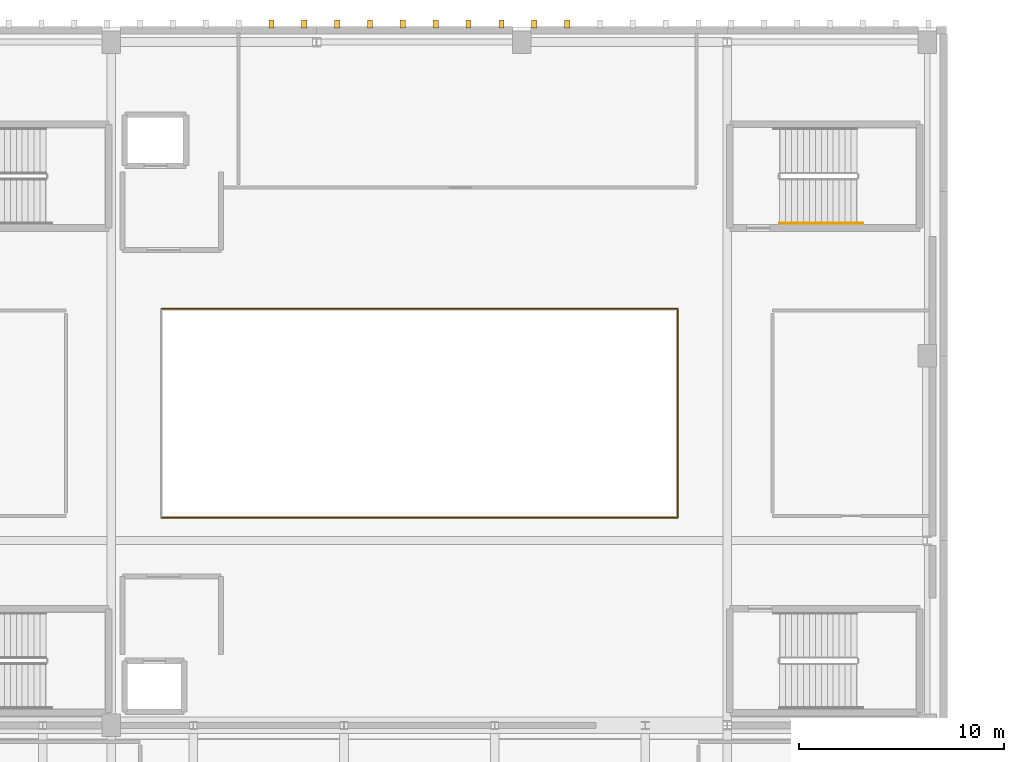
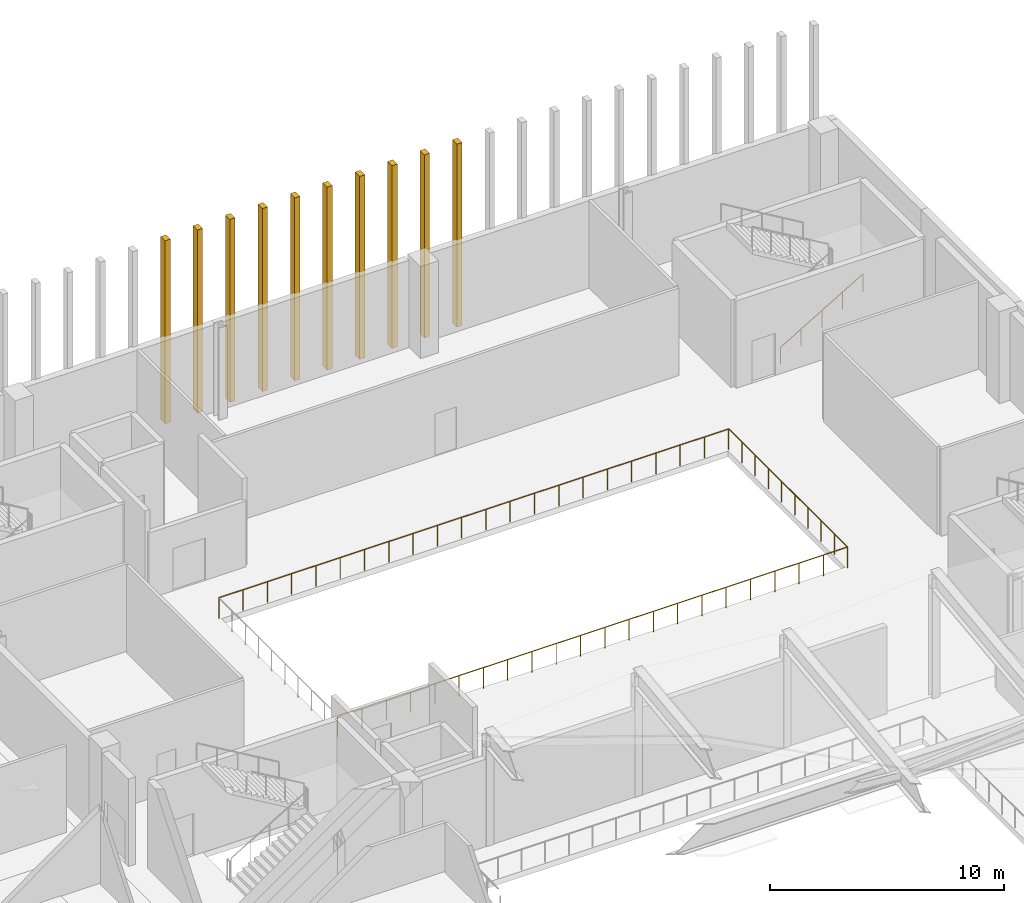
# One storey, part 29 of 30: 10 coverings, 4 railings.
"""IFC4 building model written with IfcOpenShell, lengths in metres."""

from ifc_helpers import new_model, si_unit, direction, frame, origin, origin_2d, place, context, subcontext, project, spatial, rectangle, circle, extrude, material, layer, layer_set, type_object, element, save


model = new_model("IFC4")

# Units and contexts
model_context = context("Model", 3, precision=1e-05, world=origin(), true_north=direction((0.0, 1.0)))
body_context = subcontext(model_context, "Body", "Model", "MODEL_VIEW")
ifc_project = project(units=[si_unit("LENGTHUNIT", "METRE"), si_unit("AREAUNIT", "SQUARE_METRE"), si_unit("VOLUMEUNIT", "CUBIC_METRE"), si_unit("PLANEANGLEUNIT", "RADIAN"), si_unit("MASSUNIT", "GRAM", prefix="KILO")], contexts=[model_context])

# Site, building, storey
site_placement = place(None, origin())
site = spatial("IfcSite", under=ifc_project, at=site_placement, CompositionType="ELEMENT")
building_placement = place(site_placement, origin())
building = spatial("IfcBuilding", under=site, at=building_placement, Name="Trimount Lyric Opera House", CompositionType="ELEMENT")
storey_placement = place(building_placement, frame((0.0, 0.0, 24.800048828125)))
storey = spatial("IfcBuildingStorey", under=building, at=storey_placement, Name="L05", CompositionType="ELEMENT", Elevation=24.800048828125)

# Coverings
ifc_material_1 = material(Name="Extruded Brushed Aluminium Vertical Shed Rib", Category="aluminium")
ifc_layer = layer(ifc_material_1, 0.260009765625)
ifc_layer_set = layer_set([ifc_layer], Name="CLD-RIB1")
covering_type = type_object("IfcCoveringType", Name="CLD-RIB1", PredefinedType="CLADDING", material=ifc_layer_set)
for number, where, z_axis, x_axis, name in (
    (1, (81.800048828125, 118.1650390625, 0.0), (0.0, 0.0, 1.0), (1.0, 0.0, 0.0), "Fly-tower north vertical cladding rib 180"),
    (2, (83.39990234375, 118.1650390625, 0.0), (0.0, 0.0, 1.0), (1.0, 0.0, 0.0), "Fly-tower north vertical cladding rib 185"),
    (3, (85.0, 118.1650390625, 0.0), (0.0, 0.0, 1.0), (1.0, 0.0, 0.0), "Fly-tower north vertical cladding rib 190"),
    (4, (86.60009765625, 118.1650390625, 0.0), (0.0, 0.0, 1.0), (1.0, 0.0, 0.0), "Fly-tower north vertical cladding rib 195"),
    (5, (88.199951171875, 118.1650390625, 0.0), (0.0, 0.0, 1.0), (1.0, 0.0, 0.0), "Fly-tower north vertical cladding rib 200"),
    (6, (89.800048828125, 118.1650390625, 0.0), (0.0, 0.0, 1.0), (1.0, 0.0, 0.0), "Fly-tower north vertical cladding rib 205"),
    (7, (91.39990234375, 118.1650390625, 0.0), (0.0, 0.0, 1.0), (1.0, 0.0, 0.0), "Fly-tower north vertical cladding rib 210"),
    (8, (93.0, 118.1650390625, 0.0), (0.0, 0.0, 1.0), (1.0, 0.0, 0.0), "Fly-tower north vertical cladding rib 215"),
    (9, (94.60009765625, 118.1650390625, 0.0), (0.0, 0.0, 1.0), (1.0, 0.0, 0.0), "Fly-tower north vertical cladding rib 220"),
    (10, (96.199951171875, 118.1650390625, 0.0), (0.0, 0.0, 1.0), (1.0, 0.0, 0.0), "Fly-tower north vertical cladding rib 225"),
):
    element("IfcCovering", number, at=place(storey_placement, frame(where, z_axis=z_axis, x_axis=x_axis)), inside=storey, type_object=covering_type, Name=name, PredefinedType="CLADDING", context=body_context, shape_type="SweptSolid", body=[
        extrude(rectangle(XDim=0.260009765625, YDim=0.3798828125, at=origin_2d()), origin(), (0.0, 0.0, 1.0), 9.550048828125),
    ])

# Railings
ifc_material_2 = material(Name="Brushed Stainless Steel 316", Category="steel")
railing_type_1 = type_object("IfcRailingType", Name="RL-GRD110", PredefinedType="GUARDRAIL", material=ifc_material_2)
railing_1_placement = place(storey_placement, frame((76.419921875, 94.1201171875, 0.0)))
element("IfcRailing", 11, at=railing_1_placement, inside=storey, type_object=railing_type_1, Name="L05 atrium and balcony guard GRD-FLY-L05-S", PredefinedType="GUARDRAIL", context=body_context, shape_type="SweptSolid", body=[
    extrude(circle(Radius=0.02392578125, at=origin_2d()), frame((0.0, 0.0, 1.076171875), z_axis=(1.0, 0.0, 0.0), x_axis=(0.0, 1.0, 0.0)), (0.0, 0.0, 1.0), 25.16015625),
    extrude(circle(Radius=0.02099609375, at=origin_2d()), origin(), (0.0, 0.0, 1.0), 1.052001953125),
    extrude(circle(Radius=0.02099609375, at=origin_2d()), frame((1.197998046875, 0.0, 0.0)), (0.0, 0.0, 1.0), 1.052001953125),
    extrude(circle(Radius=0.02099609375, at=origin_2d()), frame((2.396240234375, 0.0, 0.0)), (0.0, 0.0, 1.0), 1.052001953125),
    extrude(circle(Radius=0.02099609375, at=origin_2d()), frame((3.59423828125, 0.0, 0.0)), (0.0, 0.0, 1.0), 1.052001953125),
    extrude(circle(Radius=0.02099609375, at=origin_2d()), frame((4.79248046875, 0.0, 0.0)), (0.0, 0.0, 1.0), 1.052001953125),
    extrude(circle(Radius=0.02099609375, at=origin_2d()), frame((5.990478515625, 0.0, 0.0)), (0.0, 0.0, 1.0), 1.052001953125),
    extrude(circle(Radius=0.02099609375, at=origin_2d()), frame((7.188720703125, 0.0, 0.0)), (0.0, 0.0, 1.0), 1.052001953125),
    extrude(circle(Radius=0.02099609375, at=origin_2d()), frame((8.38671875, 0.0, 0.0)), (0.0, 0.0, 1.0), 1.052001953125),
    extrude(circle(Radius=0.02099609375, at=origin_2d()), frame((9.584716796875, 0.0, 0.0)), (0.0, 0.0, 1.0), 1.052001953125),
    extrude(circle(Radius=0.02099609375, at=origin_2d()), frame((10.782958984375, 0.0, 0.0)), (0.0, 0.0, 1.0), 1.052001953125),
    extrude(circle(Radius=0.02099609375, at=origin_2d()), frame((11.98095703125, 0.0, 0.0)), (0.0, 0.0, 1.0), 1.052001953125),
    extrude(circle(Radius=0.02099609375, at=origin_2d()), frame((13.17919921875, 0.0, 0.0)), (0.0, 0.0, 1.0), 1.052001953125),
    extrude(circle(Radius=0.02099609375, at=origin_2d()), frame((14.377197265625, 0.0, 0.0)), (0.0, 0.0, 1.0), 1.052001953125),
    extrude(circle(Radius=0.02099609375, at=origin_2d()), frame((15.575439453125, 0.0, 0.0)), (0.0, 0.0, 1.0), 1.052001953125),
    extrude(circle(Radius=0.02099609375, at=origin_2d()), frame((16.7734375, 0.0, 0.0)), (0.0, 0.0, 1.0), 1.052001953125),
    extrude(circle(Radius=0.02099609375, at=origin_2d()), frame((17.971435546875, 0.0, 0.0)), (0.0, 0.0, 1.0), 1.052001953125),
    extrude(circle(Radius=0.02099609375, at=origin_2d()), frame((19.169677734375, 0.0, 0.0)), (0.0, 0.0, 1.0), 1.052001953125),
    extrude(circle(Radius=0.02099609375, at=origin_2d()), frame((20.36767578125, 0.0, 0.0)), (0.0, 0.0, 1.0), 1.052001953125),
    extrude(circle(Radius=0.02099609375, at=origin_2d()), frame((21.56591796875, 0.0, 0.0)), (0.0, 0.0, 1.0), 1.052001953125),
    extrude(circle(Radius=0.02099609375, at=origin_2d()), frame((22.763916015625, 0.0, 0.0)), (0.0, 0.0, 1.0), 1.052001953125),
    extrude(circle(Radius=0.02099609375, at=origin_2d()), frame((23.962158203125, 0.0, 0.0)), (0.0, 0.0, 1.0), 1.052001953125),
    extrude(circle(Radius=0.02099609375, at=origin_2d()), frame((25.16015625, 0.0, 0.0)), (0.0, 0.0, 1.0), 1.052001953125),
])
railing_2_placement = place(storey_placement, frame((101.580078125, 94.1201171875, 0.0)))
element("IfcRailing", 12, at=railing_2_placement, inside=storey, type_object=railing_type_1, Name="L05 atrium and balcony guard GRD-FLY-L05-E", PredefinedType="GUARDRAIL", context=body_context, shape_type="SweptSolid", body=[
    extrude(circle(Radius=0.02392578125, at=origin_2d()), frame((0.0, 0.0, 1.076171875), z_axis=(0.0, 1.0, 0.0), x_axis=(-1.0, 0.0, 0.0)), (0.0, 0.0, 1.0), 10.159912109375),
    extrude(circle(Radius=0.02099609375, at=origin_2d()), origin(), (0.0, 0.0, 1.0), 1.052001953125),
    extrude(circle(Radius=0.02099609375, at=origin_2d()), frame((0.0, 1.12890625, 0.0)), (0.0, 0.0, 1.0), 1.052001953125),
    extrude(circle(Radius=0.02099609375, at=origin_2d()), frame((0.0, 2.2578125, 0.0)), (0.0, 0.0, 1.0), 1.052001953125),
    extrude(circle(Radius=0.02099609375, at=origin_2d()), frame((0.0, 3.38671875, 0.0)), (0.0, 0.0, 1.0), 1.052001953125),
    extrude(circle(Radius=0.02099609375, at=origin_2d()), frame((0.0, 4.515625, 0.0)), (0.0, 0.0, 1.0), 1.052001953125),
    extrude(circle(Radius=0.02099609375, at=origin_2d()), frame((0.0, 5.644287109375, 0.0)), (0.0, 0.0, 1.0), 1.052001953125),
    extrude(circle(Radius=0.02099609375, at=origin_2d()), frame((0.0, 6.773193359375, 0.0)), (0.0, 0.0, 1.0), 1.052001953125),
    extrude(circle(Radius=0.02099609375, at=origin_2d()), frame((0.0, 7.902099609375, 0.0)), (0.0, 0.0, 1.0), 1.052001953125),
    extrude(circle(Radius=0.02099609375, at=origin_2d()), frame((0.0, 9.031005859375, 0.0)), (0.0, 0.0, 1.0), 1.052001953125),
    extrude(circle(Radius=0.02099609375, at=origin_2d()), frame((0.0, 10.159912109375, 0.0)), (0.0, 0.0, 1.0), 1.052001953125),
])
railing_3_placement = place(storey_placement, frame((101.580078125, 104.280029296875, 0.0)))
element("IfcRailing", 13, at=railing_3_placement, inside=storey, type_object=railing_type_1, Name="L05 atrium and balcony guard GRD-FLY-L05-N", PredefinedType="GUARDRAIL", context=body_context, shape_type="SweptSolid", body=[
    extrude(circle(Radius=0.02392578125, at=origin_2d()), frame((0.0, 0.0, 1.076171875), z_axis=(-1.0, 0.0, 0.0), x_axis=(0.0, -1.0, 0.0)), (0.0, 0.0, 1.0), 25.16015625),
    extrude(circle(Radius=0.02099609375, at=origin_2d()), origin(), (0.0, 0.0, 1.0), 1.052001953125),
    extrude(circle(Radius=0.02099609375, at=origin_2d()), frame((-1.197998046875, 0.0, 0.0)), (0.0, 0.0, 1.0), 1.052001953125),
    extrude(circle(Radius=0.02099609375, at=origin_2d()), frame((-2.396240234375, 0.0, 0.0)), (0.0, 0.0, 1.0), 1.052001953125),
    extrude(circle(Radius=0.02099609375, at=origin_2d()), frame((-3.59423828125, 0.0, 0.0)), (0.0, 0.0, 1.0), 1.052001953125),
    extrude(circle(Radius=0.02099609375, at=origin_2d()), frame((-4.79248046875, 0.0, 0.0)), (0.0, 0.0, 1.0), 1.052001953125),
    extrude(circle(Radius=0.02099609375, at=origin_2d()), frame((-5.990478515625, 0.0, 0.0)), (0.0, 0.0, 1.0), 1.052001953125),
    extrude(circle(Radius=0.02099609375, at=origin_2d()), frame((-7.188720703125, 0.0, 0.0)), (0.0, 0.0, 1.0), 1.052001953125),
    extrude(circle(Radius=0.02099609375, at=origin_2d()), frame((-8.38671875, 0.0, 0.0)), (0.0, 0.0, 1.0), 1.052001953125),
    extrude(circle(Radius=0.02099609375, at=origin_2d()), frame((-9.584716796875, 0.0, 0.0)), (0.0, 0.0, 1.0), 1.052001953125),
    extrude(circle(Radius=0.02099609375, at=origin_2d()), frame((-10.782958984375, 0.0, 0.0)), (0.0, 0.0, 1.0), 1.052001953125),
    extrude(circle(Radius=0.02099609375, at=origin_2d()), frame((-11.98095703125, 0.0, 0.0)), (0.0, 0.0, 1.0), 1.052001953125),
    extrude(circle(Radius=0.02099609375, at=origin_2d()), frame((-13.17919921875, 0.0, 0.0)), (0.0, 0.0, 1.0), 1.052001953125),
    extrude(circle(Radius=0.02099609375, at=origin_2d()), frame((-14.377197265625, 0.0, 0.0)), (0.0, 0.0, 1.0), 1.052001953125),
    extrude(circle(Radius=0.02099609375, at=origin_2d()), frame((-15.575439453125, 0.0, 0.0)), (0.0, 0.0, 1.0), 1.052001953125),
    extrude(circle(Radius=0.02099609375, at=origin_2d()), frame((-16.7734375, 0.0, 0.0)), (0.0, 0.0, 1.0), 1.052001953125),
    extrude(circle(Radius=0.02099609375, at=origin_2d()), frame((-17.971435546875, 0.0, 0.0)), (0.0, 0.0, 1.0), 1.052001953125),
    extrude(circle(Radius=0.02099609375, at=origin_2d()), frame((-19.169677734375, 0.0, 0.0)), (0.0, 0.0, 1.0), 1.052001953125),
    extrude(circle(Radius=0.02099609375, at=origin_2d()), frame((-20.36767578125, 0.0, 0.0)), (0.0, 0.0, 1.0), 1.052001953125),
    extrude(circle(Radius=0.02099609375, at=origin_2d()), frame((-21.56591796875, 0.0, 0.0)), (0.0, 0.0, 1.0), 1.052001953125),
    extrude(circle(Radius=0.02099609375, at=origin_2d()), frame((-22.763916015625, 0.0, 0.0)), (0.0, 0.0, 1.0), 1.052001953125),
    extrude(circle(Radius=0.02099609375, at=origin_2d()), frame((-23.962158203125, 0.0, 0.0)), (0.0, 0.0, 1.0), 1.052001953125),
    extrude(circle(Radius=0.02099609375, at=origin_2d()), frame((-25.16015625, 0.0, 0.0)), (0.0, 0.0, 1.0), 1.052001953125),
])
ifc_material_3 = material(Name="Brushed Stainless Steel 316", Category="steel")
railing_type_2 = type_object("IfcRailingType", Name="RL-HND092", PredefinedType="HANDRAIL", material=ifc_material_3)
railing_4_placement = place(storey_placement, frame((106.550048828125, 108.449951171875, 0.17138671875)))
element("IfcRailing", 14, at=railing_4_placement, inside=storey, type_object=railing_type_2, Name="L05 ST-02 stair handrail 1", PredefinedType="HANDRAIL", context=body_context, shape_type="SweptSolid", body=[
    extrude(circle(Radius=0.0224609375, at=origin_2d()), frame((0.0, 0.0, 0.8974609375), z_axis=(0.86055955557, 0.0, 0.509349831959), x_axis=(0.0, 1.0, 0.0)), (0.0, 0.0, 1.0), 4.718017578125),
    extrude(circle(Radius=0.02099609375, at=origin_2d()), origin(), (0.0, 0.0, 1.0), 0.875),
    extrude(circle(Radius=0.02099609375, at=origin_2d()), frame((1.01513671875, 0.0, 0.600830078125)), (0.0, 0.0, 1.0), 0.875),
    extrude(circle(Radius=0.02099609375, at=origin_2d()), frame((2.030029296875, 0.0, 1.20166015625)), (0.0, 0.0, 1.0), 0.875),
    extrude(circle(Radius=0.02099609375, at=origin_2d()), frame((3.044921875, 0.0, 1.80224609375)), (0.0, 0.0, 1.0), 0.875),
    extrude(circle(Radius=0.02099609375, at=origin_2d()), frame((4.06005859375, 0.0, 2.403076171875)), (0.0, 0.0, 1.0), 0.875),
])

save(model, "model.ifc")
